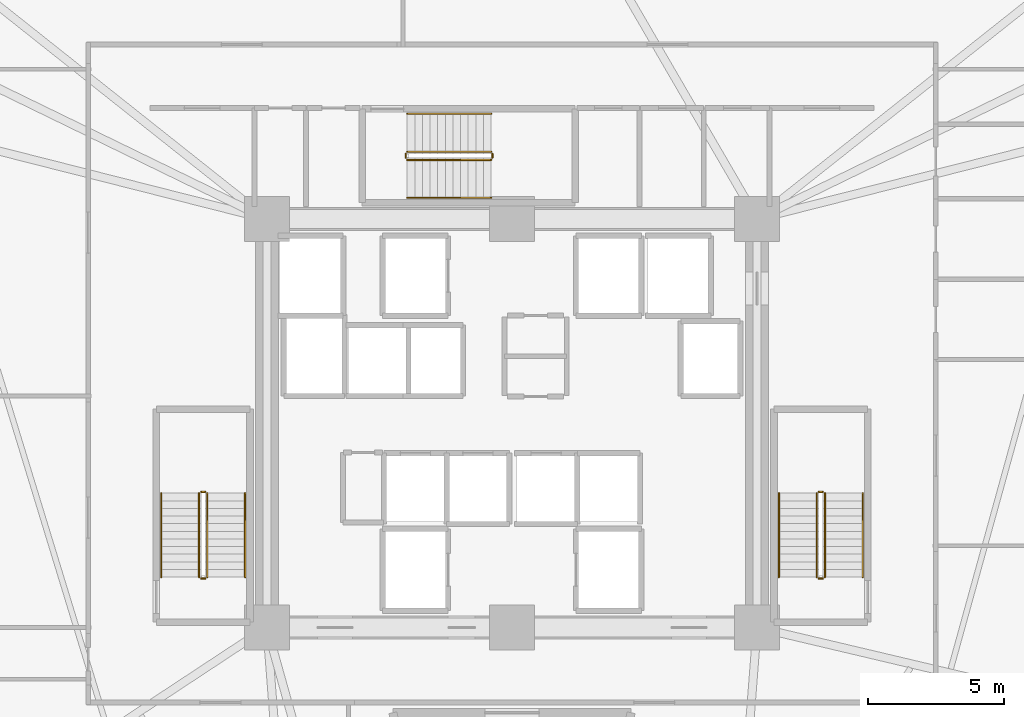
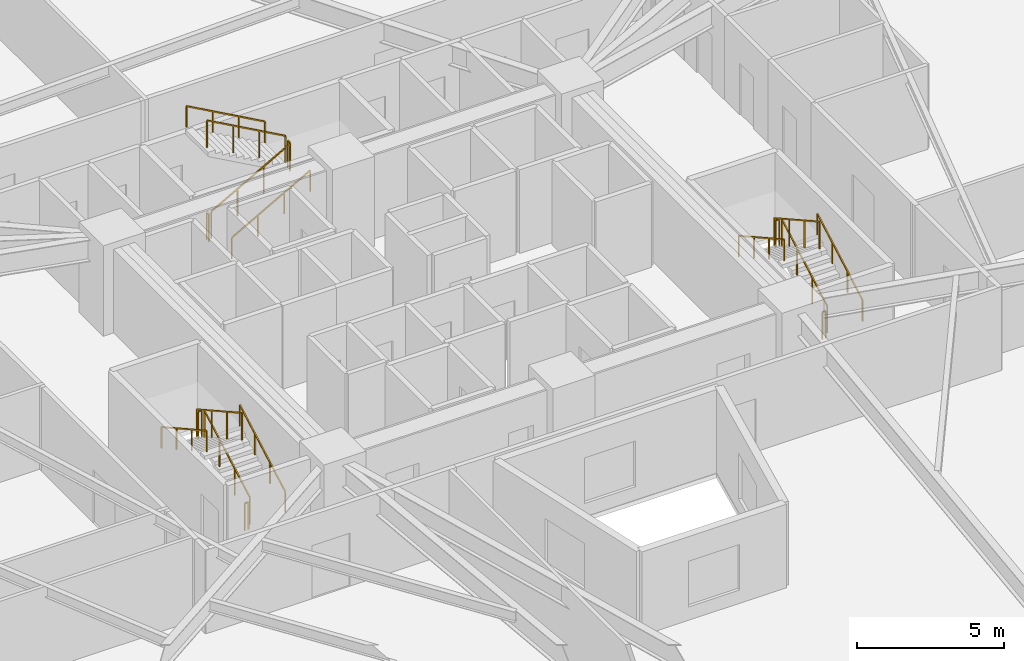
# One storey, part 8 of 8: 18 railings.
"""IFC4 building model written with IfcOpenShell, lengths in metres."""

from ifc_helpers import new_model, si_unit, direction, frame, origin, origin_2d, place, context, subcontext, project, spatial, rectangle, extrude, material, type_object, element, save


model = new_model("IFC4")

# Units and contexts
model_context = context("Model", 3, precision=1e-05, world=origin(), true_north=direction((0.0, 1.0)))
body_context = subcontext(model_context, "Body", "Model", "MODEL_VIEW")
ifc_project = project(units=[si_unit("LENGTHUNIT", "METRE"), si_unit("AREAUNIT", "SQUARE_METRE"), si_unit("VOLUMEUNIT", "CUBIC_METRE"), si_unit("PLANEANGLEUNIT", "RADIAN"), si_unit("MASSUNIT", "GRAM", prefix="KILO")], contexts=[model_context])

# Site, building, storey
site_placement = place(None, origin())
site = spatial("IfcSite", under=ifc_project, at=site_placement, CompositionType="ELEMENT")
building_placement = place(site_placement, origin())
building = spatial("IfcBuilding", under=site, at=building_placement, Name="Liaohun Quay Tower", CompositionType="ELEMENT")
storey_placement = place(building_placement, frame((0.0, 0.0, 43.5)))
storey = spatial("IfcBuildingStorey", under=building, at=storey_placement, Name="L11", CompositionType="ELEMENT", Elevation=43.5)

# Railings
ifc_material_1 = material(Name="Painted tubular steel", Category="steel")
railing_type_1 = type_object("IfcRailingType", Name="RLG-GUARD-STR", PredefinedType="GUARDRAIL", material=ifc_material_1)
railing_1_placement = place(storey_placement, frame((48.81005859375, 48.35009765625, 0.15625)))
element("IfcRailing", 1, at=railing_1_placement, inside=storey, type_object=railing_type_1, Name="L11 ST-1 stair guard 1", PredefinedType="GUARDRAIL", context=body_context, shape_type="SweptSolid", body=[
    extrude(rectangle(XDim=0.048095703125, YDim=0.048095703125, at=origin_2d()), frame((0.0, 0.0, 1.1259765625), z_axis=(0.0, 0.873225103656, 0.487317061414), x_axis=(-1.0, 0.0, 0.0)), (0.0, 0.0, 1.0), 3.52685546875),
    extrude(rectangle(XDim=0.0419921875, YDim=0.0419921875, at=origin_2d()), origin(), (0.0, 0.0, 1.0), 1.101806640625),
    extrude(rectangle(XDim=0.0419921875, YDim=0.0419921875, at=origin_2d()), frame((0.0, 1.026611328125, 0.572998046875)), (0.0, 0.0, 1.0), 1.101806640625),
    extrude(rectangle(XDim=0.0419921875, YDim=0.0419921875, at=origin_2d()), frame((0.0, 2.05322265625, 1.145751953125)), (0.0, 0.0, 1.0), 1.101806640625),
    extrude(rectangle(XDim=0.0419921875, YDim=0.0419921875, at=origin_2d()), frame((0.0, 3.079833984375, 1.71875)), (0.0, 0.0, 1.0), 1.101806640625),
])
railing_2_placement = place(storey_placement, frame((48.72998046875, 51.47998046875, 1.875)))
element("IfcRailing", 2, at=railing_2_placement, inside=storey, type_object=railing_type_1, Name="L11 ST-1 stair guard 2", PredefinedType="GUARDRAIL", context=body_context, shape_type="SweptSolid", body=[
    extrude(rectangle(XDim=0.048095703125, YDim=0.048095703125, at=origin_2d()), frame((0.0, 0.0, 1.1259765625), z_axis=(-1.0, 0.0, 0.0), x_axis=(0.0, -1.0, 0.0)), (0.0, 0.0, 1.0), 0.139892578125),
    extrude(rectangle(XDim=0.0419921875, YDim=0.0419921875, at=origin_2d()), origin(), (0.0, 0.0, 1.0), 1.101806640625),
    extrude(rectangle(XDim=0.0419921875, YDim=0.0419921875, at=origin_2d()), frame((-0.139892578125, 0.0, 0.0)), (0.0, 0.0, 1.0), 1.101806640625),
])
railing_3_placement = place(storey_placement, frame((48.510009765625, 51.429931640625, 2.03125)))
element("IfcRailing", 3, at=railing_3_placement, inside=storey, type_object=railing_type_1, Name="L11 ST-1 stair guard 3", PredefinedType="GUARDRAIL", context=body_context, shape_type="SweptSolid", body=[
    extrude(rectangle(XDim=0.048095703125, YDim=0.048095703125, at=origin_2d()), frame((0.0, 0.0, 1.1259765625), z_axis=(0.0, -0.873225103656, 0.487317061414), x_axis=(1.0, 0.0, 0.0)), (0.0, 0.0, 1.0), 3.52685546875),
    extrude(rectangle(XDim=0.0419921875, YDim=0.0419921875, at=origin_2d()), origin(), (0.0, 0.0, 1.0), 1.101806640625),
    extrude(rectangle(XDim=0.0419921875, YDim=0.0419921875, at=origin_2d()), frame((0.0, -1.026611328125, 0.572998046875)), (0.0, 0.0, 1.0), 1.101806640625),
    extrude(rectangle(XDim=0.0419921875, YDim=0.0419921875, at=origin_2d()), frame((0.0, -2.05322265625, 1.145751953125)), (0.0, 0.0, 1.0), 1.101806640625),
    extrude(rectangle(XDim=0.0419921875, YDim=0.0419921875, at=origin_2d()), frame((0.0, -3.079833984375, 1.71875)), (0.0, 0.0, 1.0), 1.101806640625),
])
railing_4_placement = place(storey_placement, frame((48.72998046875, 48.300048828125, 0.0)))
element("IfcRailing", 4, at=railing_4_placement, inside=storey, type_object=railing_type_1, Name="L11 ST-1 stair guard 4", PredefinedType="GUARDRAIL", context=body_context, shape_type="SweptSolid", body=[
    extrude(rectangle(XDim=0.048095703125, YDim=0.048095703125, at=origin_2d()), frame((0.0, 0.0, 1.1259765625), z_axis=(-1.0, 0.0, 0.0), x_axis=(0.0, -1.0, 0.0)), (0.0, 0.0, 1.0), 0.139892578125),
    extrude(rectangle(XDim=0.0419921875, YDim=0.0419921875, at=origin_2d()), origin(), (0.0, 0.0, 1.0), 1.101806640625),
    extrude(rectangle(XDim=0.0419921875, YDim=0.0419921875, at=origin_2d()), frame((-0.139892578125, 0.0, 0.0)), (0.0, 0.0, 1.0), 1.101806640625),
])
railing_5_placement = place(storey_placement, frame((71.489990234375, 48.35009765625, 0.15625)))
element("IfcRailing", 5, at=railing_5_placement, inside=storey, type_object=railing_type_1, Name="L11 ST-2 stair guard 1", PredefinedType="GUARDRAIL", context=body_context, shape_type="SweptSolid", body=[
    extrude(rectangle(XDim=0.048095703125, YDim=0.048095703125, at=origin_2d()), frame((0.0, 0.0, 1.1259765625), z_axis=(0.0, 0.873225103656, 0.487317061414), x_axis=(-1.0, 0.0, 0.0)), (0.0, 0.0, 1.0), 3.52685546875),
    extrude(rectangle(XDim=0.0419921875, YDim=0.0419921875, at=origin_2d()), origin(), (0.0, 0.0, 1.0), 1.101806640625),
    extrude(rectangle(XDim=0.0419921875, YDim=0.0419921875, at=origin_2d()), frame((0.0, 1.026611328125, 0.572998046875)), (0.0, 0.0, 1.0), 1.101806640625),
    extrude(rectangle(XDim=0.0419921875, YDim=0.0419921875, at=origin_2d()), frame((0.0, 2.05322265625, 1.145751953125)), (0.0, 0.0, 1.0), 1.101806640625),
    extrude(rectangle(XDim=0.0419921875, YDim=0.0419921875, at=origin_2d()), frame((0.0, 3.079833984375, 1.71875)), (0.0, 0.0, 1.0), 1.101806640625),
])
railing_6_placement = place(storey_placement, frame((71.409912109375, 51.47998046875, 1.875)))
element("IfcRailing", 6, at=railing_6_placement, inside=storey, type_object=railing_type_1, Name="L11 ST-2 stair guard 2", PredefinedType="GUARDRAIL", context=body_context, shape_type="SweptSolid", body=[
    extrude(rectangle(XDim=0.048095703125, YDim=0.048095703125, at=origin_2d()), frame((0.0, 0.0, 1.1259765625), z_axis=(-1.0, 0.0, 0.0), x_axis=(0.0, -1.0, 0.0)), (0.0, 0.0, 1.0), 0.139892578125),
    extrude(rectangle(XDim=0.0419921875, YDim=0.0419921875, at=origin_2d()), origin(), (0.0, 0.0, 1.0), 1.101806640625),
    extrude(rectangle(XDim=0.0419921875, YDim=0.0419921875, at=origin_2d()), frame((-0.139892578125, 0.0, 0.0)), (0.0, 0.0, 1.0), 1.101806640625),
])
railing_7_placement = place(storey_placement, frame((71.18994140625, 51.429931640625, 2.03125)))
element("IfcRailing", 7, at=railing_7_placement, inside=storey, type_object=railing_type_1, Name="L11 ST-2 stair guard 3", PredefinedType="GUARDRAIL", context=body_context, shape_type="SweptSolid", body=[
    extrude(rectangle(XDim=0.048095703125, YDim=0.048095703125, at=origin_2d()), frame((0.0, 0.0, 1.1259765625), z_axis=(0.0, -0.873225103656, 0.487317061414), x_axis=(1.0, 0.0, 0.0)), (0.0, 0.0, 1.0), 3.52685546875),
    extrude(rectangle(XDim=0.0419921875, YDim=0.0419921875, at=origin_2d()), origin(), (0.0, 0.0, 1.0), 1.101806640625),
    extrude(rectangle(XDim=0.0419921875, YDim=0.0419921875, at=origin_2d()), frame((0.0, -1.026611328125, 0.572998046875)), (0.0, 0.0, 1.0), 1.101806640625),
    extrude(rectangle(XDim=0.0419921875, YDim=0.0419921875, at=origin_2d()), frame((0.0, -2.05322265625, 1.145751953125)), (0.0, 0.0, 1.0), 1.101806640625),
    extrude(rectangle(XDim=0.0419921875, YDim=0.0419921875, at=origin_2d()), frame((0.0, -3.079833984375, 1.71875)), (0.0, 0.0, 1.0), 1.101806640625),
])
railing_8_placement = place(storey_placement, frame((71.409912109375, 48.300048828125, 0.0)))
element("IfcRailing", 8, at=railing_8_placement, inside=storey, type_object=railing_type_1, Name="L11 ST-2 stair guard 4", PredefinedType="GUARDRAIL", context=body_context, shape_type="SweptSolid", body=[
    extrude(rectangle(XDim=0.048095703125, YDim=0.048095703125, at=origin_2d()), frame((0.0, 0.0, 1.1259765625), z_axis=(-1.0, 0.0, 0.0), x_axis=(0.0, -1.0, 0.0)), (0.0, 0.0, 1.0), 0.139892578125),
    extrude(rectangle(XDim=0.0419921875, YDim=0.0419921875, at=origin_2d()), origin(), (0.0, 0.0, 1.0), 1.101806640625),
    extrude(rectangle(XDim=0.0419921875, YDim=0.0419921875, at=origin_2d()), frame((-0.139892578125, 0.0, 0.0)), (0.0, 0.0, 1.0), 1.101806640625),
])
railing_9_placement = place(storey_placement, frame((56.14990234375, 63.669921875, 0.15625)))
element("IfcRailing", 9, at=railing_9_placement, inside=storey, type_object=railing_type_1, Name="L11 ST-3 stair guard 1", PredefinedType="GUARDRAIL", context=body_context, shape_type="SweptSolid", body=[
    extrude(rectangle(XDim=0.048095703125, YDim=0.048095703125, at=origin_2d()), frame((0.0, 0.0, 1.1259765625), z_axis=(0.873241540666, 0.0, 0.487287606713), x_axis=(0.0, 1.0, 0.0)), (0.0, 0.0, 1.0), 3.527099609375),
    extrude(rectangle(XDim=0.0419921875, YDim=0.0419921875, at=origin_2d()), origin(), (0.0, 0.0, 1.0), 1.101806640625),
    extrude(rectangle(XDim=0.0419921875, YDim=0.0419921875, at=origin_2d()), frame((1.026611328125, 0.0, 0.572998046875)), (0.0, 0.0, 1.0), 1.101806640625),
    extrude(rectangle(XDim=0.0419921875, YDim=0.0419921875, at=origin_2d()), frame((2.053466796875, 0.0, 1.145751953125)), (0.0, 0.0, 1.0), 1.101806640625),
    extrude(rectangle(XDim=0.0419921875, YDim=0.0419921875, at=origin_2d()), frame((3.080078125, 0.0, 1.71875)), (0.0, 0.0, 1.0), 1.101806640625),
])
railing_10_placement = place(storey_placement, frame((59.280029296875, 63.75, 1.875)))
element("IfcRailing", 10, at=railing_10_placement, inside=storey, type_object=railing_type_1, Name="L11 ST-3 stair guard 2", PredefinedType="GUARDRAIL", context=body_context, shape_type="SweptSolid", body=[
    extrude(rectangle(XDim=0.048095703125, YDim=0.048095703125, at=origin_2d()), frame((0.0, 0.0, 1.1259765625), z_axis=(0.0, 1.0, 0.0), x_axis=(-1.0, 0.0, 0.0)), (0.0, 0.0, 1.0), 0.139892578125),
    extrude(rectangle(XDim=0.0419921875, YDim=0.0419921875, at=origin_2d()), origin(), (0.0, 0.0, 1.0), 1.101806640625),
    extrude(rectangle(XDim=0.0419921875, YDim=0.0419921875, at=origin_2d()), frame((0.0, 0.139892578125, 0.0)), (0.0, 0.0, 1.0), 1.101806640625),
])
railing_11_placement = place(storey_placement, frame((59.22998046875, 63.969970703125, 2.03125)))
element("IfcRailing", 11, at=railing_11_placement, inside=storey, type_object=railing_type_1, Name="L11 ST-3 stair guard 3", PredefinedType="GUARDRAIL", context=body_context, shape_type="SweptSolid", body=[
    extrude(rectangle(XDim=0.048095703125, YDim=0.048095703125, at=origin_2d()), frame((0.0, 0.0, 1.1259765625), z_axis=(-0.873241540666, 0.0, 0.487287606713), x_axis=(0.0, -1.0, 0.0)), (0.0, 0.0, 1.0), 3.527099609375),
    extrude(rectangle(XDim=0.0419921875, YDim=0.0419921875, at=origin_2d()), origin(), (0.0, 0.0, 1.0), 1.101806640625),
    extrude(rectangle(XDim=0.0419921875, YDim=0.0419921875, at=origin_2d()), frame((-1.026611328125, 0.0, 0.572998046875)), (0.0, 0.0, 1.0), 1.101806640625),
    extrude(rectangle(XDim=0.0419921875, YDim=0.0419921875, at=origin_2d()), frame((-2.053466796875, 0.0, 1.145751953125)), (0.0, 0.0, 1.0), 1.101806640625),
    extrude(rectangle(XDim=0.0419921875, YDim=0.0419921875, at=origin_2d()), frame((-3.080078125, 0.0, 1.71875)), (0.0, 0.0, 1.0), 1.101806640625),
])
railing_12_placement = place(storey_placement, frame((56.10009765625, 63.75, 0.0)))
element("IfcRailing", 12, at=railing_12_placement, inside=storey, type_object=railing_type_1, Name="L11 ST-3 stair guard 4", PredefinedType="GUARDRAIL", context=body_context, shape_type="SweptSolid", body=[
    extrude(rectangle(XDim=0.048095703125, YDim=0.048095703125, at=origin_2d()), frame((0.0, 0.0, 1.1259765625), z_axis=(0.0, 1.0, 0.0), x_axis=(-1.0, 0.0, 0.0)), (0.0, 0.0, 1.0), 0.139892578125),
    extrude(rectangle(XDim=0.0419921875, YDim=0.0419921875, at=origin_2d()), origin(), (0.0, 0.0, 1.0), 1.101806640625),
    extrude(rectangle(XDim=0.0419921875, YDim=0.0419921875, at=origin_2d()), frame((0.0, 0.139892578125, 0.0)), (0.0, 0.0, 1.0), 1.101806640625),
])
ifc_material_2 = material(Name="Brushed stainless steel", Category="steel")
railing_type_2 = type_object("IfcRailingType", Name="RLG-HND-STR", PredefinedType="HANDRAIL", material=ifc_material_2)
railing_13_placement = place(storey_placement, frame((50.199951171875, 48.35009765625, 0.15625)))
element("IfcRailing", 13, at=railing_13_placement, inside=storey, type_object=railing_type_2, Name="L11 ST-1 stair handrail 1", PredefinedType="HANDRAIL", context=body_context, shape_type="SweptSolid", body=[
    extrude(rectangle(XDim=0.048095703125, YDim=0.048095703125, at=origin_2d()), frame((0.0, 0.0, 0.8759765625), z_axis=(0.0, 0.873225103656, 0.487317061414), x_axis=(-1.0, 0.0, 0.0)), (0.0, 0.0, 1.0), 3.52685546875),
    extrude(rectangle(XDim=0.0419921875, YDim=0.0419921875, at=origin_2d()), origin(), (0.0, 0.0, 1.0), 0.851806640625),
    extrude(rectangle(XDim=0.0419921875, YDim=0.0419921875, at=origin_2d()), frame((0.0, 1.026611328125, 0.572998046875)), (0.0, 0.0, 1.0), 0.851806640625),
    extrude(rectangle(XDim=0.0419921875, YDim=0.0419921875, at=origin_2d()), frame((0.0, 2.05322265625, 1.145751953125)), (0.0, 0.0, 1.0), 0.851806640625),
    extrude(rectangle(XDim=0.0419921875, YDim=0.0419921875, at=origin_2d()), frame((0.0, 3.079833984375, 1.71875)), (0.0, 0.0, 1.0), 0.851806640625),
])
railing_14_placement = place(storey_placement, frame((47.1201171875, 51.429931640625, 2.03125)))
element("IfcRailing", 14, at=railing_14_placement, inside=storey, type_object=railing_type_2, Name="L11 ST-1 stair handrail 2", PredefinedType="HANDRAIL", context=body_context, shape_type="SweptSolid", body=[
    extrude(rectangle(XDim=0.048095703125, YDim=0.048095703125, at=origin_2d()), frame((0.0, 0.0, 0.8759765625), z_axis=(0.0, -0.873225103656, 0.487317061414), x_axis=(1.0, 0.0, 0.0)), (0.0, 0.0, 1.0), 3.52685546875),
    extrude(rectangle(XDim=0.0419921875, YDim=0.0419921875, at=origin_2d()), origin(), (0.0, 0.0, 1.0), 0.851806640625),
    extrude(rectangle(XDim=0.0419921875, YDim=0.0419921875, at=origin_2d()), frame((0.0, -1.026611328125, 0.572998046875)), (0.0, 0.0, 1.0), 0.851806640625),
    extrude(rectangle(XDim=0.0419921875, YDim=0.0419921875, at=origin_2d()), frame((0.0, -2.05322265625, 1.145751953125)), (0.0, 0.0, 1.0), 0.851806640625),
    extrude(rectangle(XDim=0.0419921875, YDim=0.0419921875, at=origin_2d()), frame((0.0, -3.079833984375, 1.71875)), (0.0, 0.0, 1.0), 0.851806640625),
])
railing_15_placement = place(storey_placement, frame((72.8798828125, 48.35009765625, 0.15625)))
element("IfcRailing", 15, at=railing_15_placement, inside=storey, type_object=railing_type_2, Name="L11 ST-2 stair handrail 1", PredefinedType="HANDRAIL", context=body_context, shape_type="SweptSolid", body=[
    extrude(rectangle(XDim=0.048095703125, YDim=0.048095703125, at=origin_2d()), frame((0.0, 0.0, 0.8759765625), z_axis=(0.0, 0.873225103656, 0.487317061414), x_axis=(-1.0, 0.0, 0.0)), (0.0, 0.0, 1.0), 3.52685546875),
    extrude(rectangle(XDim=0.0419921875, YDim=0.0419921875, at=origin_2d()), origin(), (0.0, 0.0, 1.0), 0.851806640625),
    extrude(rectangle(XDim=0.0419921875, YDim=0.0419921875, at=origin_2d()), frame((0.0, 1.026611328125, 0.572998046875)), (0.0, 0.0, 1.0), 0.851806640625),
    extrude(rectangle(XDim=0.0419921875, YDim=0.0419921875, at=origin_2d()), frame((0.0, 2.05322265625, 1.145751953125)), (0.0, 0.0, 1.0), 0.851806640625),
    extrude(rectangle(XDim=0.0419921875, YDim=0.0419921875, at=origin_2d()), frame((0.0, 3.079833984375, 1.71875)), (0.0, 0.0, 1.0), 0.851806640625),
])
railing_16_placement = place(storey_placement, frame((69.800048828125, 51.429931640625, 2.03125)))
element("IfcRailing", 16, at=railing_16_placement, inside=storey, type_object=railing_type_2, Name="L11 ST-2 stair handrail 2", PredefinedType="HANDRAIL", context=body_context, shape_type="SweptSolid", body=[
    extrude(rectangle(XDim=0.048095703125, YDim=0.048095703125, at=origin_2d()), frame((0.0, 0.0, 0.8759765625), z_axis=(0.0, -0.873225103656, 0.487317061414), x_axis=(1.0, 0.0, 0.0)), (0.0, 0.0, 1.0), 3.52685546875),
    extrude(rectangle(XDim=0.0419921875, YDim=0.0419921875, at=origin_2d()), origin(), (0.0, 0.0, 1.0), 0.851806640625),
    extrude(rectangle(XDim=0.0419921875, YDim=0.0419921875, at=origin_2d()), frame((0.0, -1.026611328125, 0.572998046875)), (0.0, 0.0, 1.0), 0.851806640625),
    extrude(rectangle(XDim=0.0419921875, YDim=0.0419921875, at=origin_2d()), frame((0.0, -2.05322265625, 1.145751953125)), (0.0, 0.0, 1.0), 0.851806640625),
    extrude(rectangle(XDim=0.0419921875, YDim=0.0419921875, at=origin_2d()), frame((0.0, -3.079833984375, 1.71875)), (0.0, 0.0, 1.0), 0.851806640625),
])
railing_17_placement = place(storey_placement, frame((56.14990234375, 62.280029296875, 0.15625)))
element("IfcRailing", 17, at=railing_17_placement, inside=storey, type_object=railing_type_2, Name="L11 ST-3 stair handrail 1", PredefinedType="HANDRAIL", context=body_context, shape_type="SweptSolid", body=[
    extrude(rectangle(XDim=0.048095703125, YDim=0.048095703125, at=origin_2d()), frame((0.0, 0.0, 0.8759765625), z_axis=(0.873241540666, 0.0, 0.487287606713), x_axis=(0.0, 1.0, 0.0)), (0.0, 0.0, 1.0), 3.527099609375),
    extrude(rectangle(XDim=0.0419921875, YDim=0.0419921875, at=origin_2d()), origin(), (0.0, 0.0, 1.0), 0.851806640625),
    extrude(rectangle(XDim=0.0419921875, YDim=0.0419921875, at=origin_2d()), frame((1.026611328125, 0.0, 0.572998046875)), (0.0, 0.0, 1.0), 0.851806640625),
    extrude(rectangle(XDim=0.0419921875, YDim=0.0419921875, at=origin_2d()), frame((2.053466796875, 0.0, 1.145751953125)), (0.0, 0.0, 1.0), 0.851806640625),
    extrude(rectangle(XDim=0.0419921875, YDim=0.0419921875, at=origin_2d()), frame((3.080078125, 0.0, 1.71875)), (0.0, 0.0, 1.0), 0.851806640625),
])
railing_18_placement = place(storey_placement, frame((59.22998046875, 65.360107421875, 2.03125)))
element("IfcRailing", 18, at=railing_18_placement, inside=storey, type_object=railing_type_2, Name="L11 ST-3 stair handrail 2", PredefinedType="HANDRAIL", context=body_context, shape_type="SweptSolid", body=[
    extrude(rectangle(XDim=0.048095703125, YDim=0.048095703125, at=origin_2d()), frame((0.0, 0.0, 0.8759765625), z_axis=(-0.873241540666, 0.0, 0.487287606713), x_axis=(0.0, -1.0, 0.0)), (0.0, 0.0, 1.0), 3.527099609375),
    extrude(rectangle(XDim=0.0419921875, YDim=0.0419921875, at=origin_2d()), origin(), (0.0, 0.0, 1.0), 0.851806640625),
    extrude(rectangle(XDim=0.0419921875, YDim=0.0419921875, at=origin_2d()), frame((-1.026611328125, 0.0, 0.572998046875)), (0.0, 0.0, 1.0), 0.851806640625),
    extrude(rectangle(XDim=0.0419921875, YDim=0.0419921875, at=origin_2d()), frame((-2.053466796875, 0.0, 1.145751953125)), (0.0, 0.0, 1.0), 0.851806640625),
    extrude(rectangle(XDim=0.0419921875, YDim=0.0419921875, at=origin_2d()), frame((-3.080078125, 0.0, 1.71875)), (0.0, 0.0, 1.0), 0.851806640625),
])

save(model, "model.ifc")
